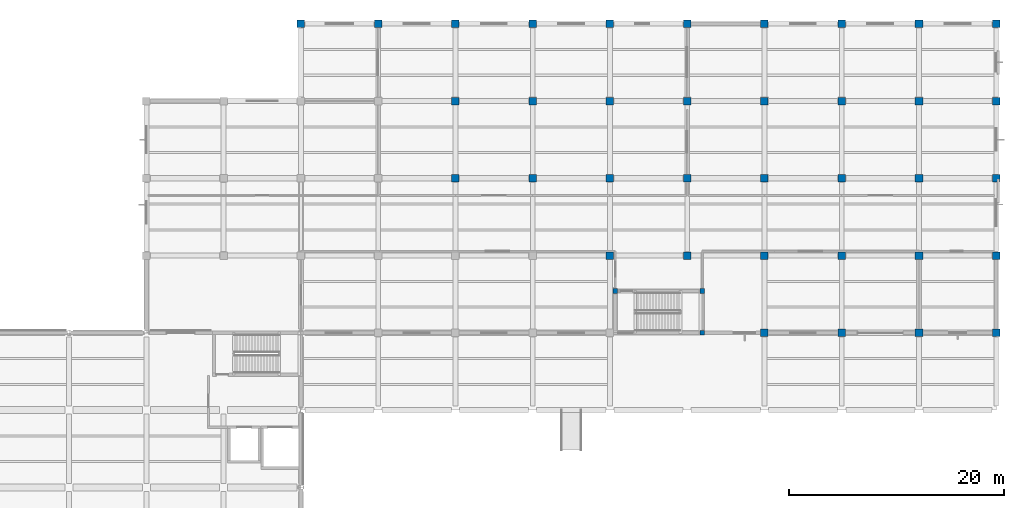
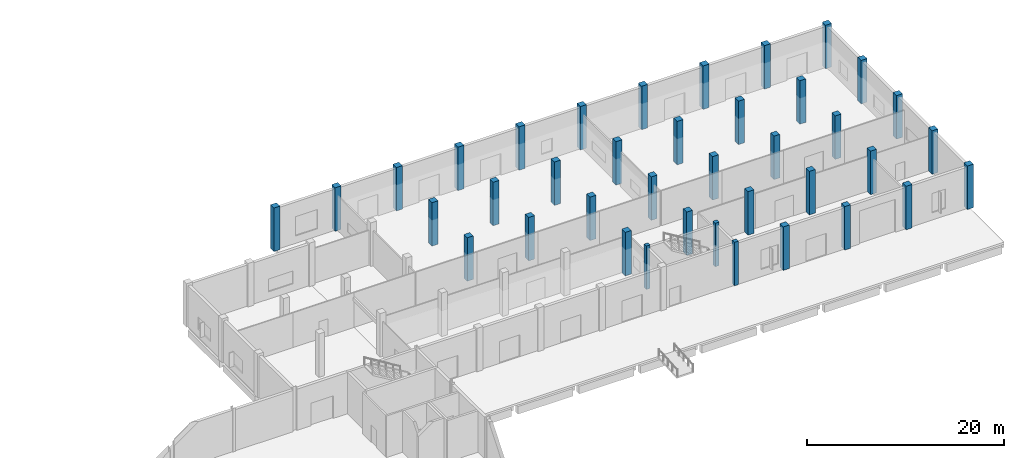
# One storey, part 12 of 46: 39 columns.
"""IFC4 building model written with IfcOpenShell, lengths in metres."""

from ifc_helpers import new_model, si_unit, direction, frame, origin, origin_2d, place, context, subcontext, project, spatial, rectangle, extrude, material, material_profile, profile_set, type_object, element, save


model = new_model("IFC4")

# Units and contexts
model_context = context("Model", 3, precision=1e-05, world=origin(), true_north=direction((0.0, 1.0)))
body_context = subcontext(model_context, "Body", "Model", "MODEL_VIEW")
ifc_project = project(units=[si_unit("LENGTHUNIT", "METRE"), si_unit("AREAUNIT", "SQUARE_METRE"), si_unit("VOLUMEUNIT", "CUBIC_METRE"), si_unit("PLANEANGLEUNIT", "RADIAN"), si_unit("MASSUNIT", "GRAM", prefix="KILO"), si_unit("THERMODYNAMICTEMPERATUREUNIT", "KELVIN"), si_unit("POWERUNIT", "WATT")], contexts=[model_context])

# Site, building, storey
site_placement = place(None, origin())
site = spatial("IfcSite", under=ifc_project, at=site_placement, CompositionType="ELEMENT")
building_placement = place(site_placement, origin())
building = spatial("IfcBuilding", under=site, at=building_placement, Name="Kaldorven Railside Theatre", CompositionType="ELEMENT")
storey_placement = place(building_placement, origin())
storey = spatial("IfcBuildingStorey", under=building, at=storey_placement, Name="L00", CompositionType="ELEMENT", Elevation=0.0)

# Columns
ifc_material = material(Name="Concrete C40/50", Category="concrete")
ifc_material_profile_1 = material_profile(ifc_material, rectangle(XDim=0.449951171875, YDim=0.449951171875, at=origin_2d()), Name="RC 450x450")
ifc_profile_set_1 = profile_set([ifc_material_profile_1], Name="Concrete C40/50")
column_type_1 = type_object("IfcColumnType", Name="COL-RC450", PredefinedType="COLUMN", material=ifc_profile_set_1)
for number, where, z_axis, x_axis, name in (
    (1, (160.60009765625, 112.800048828125, 0.0), (0.0, 0.0, 1.0), (1.0, 0.0, 0.0), "Core ST-08 L00 Boundary Column CCR-040"),
    (2, (160.60009765625, 116.699951171875, 0.0), (0.0, 0.0, 1.0), (1.0, 0.0, 0.0), "Core ST-08 L00 Boundary Column CCR-045"),
    (3, (152.5, 116.699951171875, 0.0), (0.0, 0.0, 1.0), (1.0, 0.0, 0.0), "Core ST-08 L00 Boundary Column CCR-050"),
):
    element("IfcColumn", number, at=place(storey_placement, frame(where, z_axis=z_axis, x_axis=x_axis)), inside=storey, type_object=column_type_1, Name=name, PredefinedType="COLUMN", context=body_context, shape_type="SweptSolid", body=[
        extrude(rectangle(XDim=0.449951171875, YDim=0.449951171875, at=origin_2d()), origin(), (0.0, 0.0, 1.0), 5.39990234375),
    ])
ifc_material_profile_2 = material_profile(ifc_material, rectangle(XDim=0.699951171875, YDim=0.699951171875, at=origin_2d()), Name="RC 700x700")
ifc_profile_set_2 = profile_set([ifc_material_profile_2], Name="Concrete C40/50")
column_type_2 = type_object("IfcColumnType", Name="COL-RC700", PredefinedType="COLUMN", material=ifc_profile_set_2)
for number, where, z_axis, x_axis, name in (
    (4, (166.39990234375, 112.800048828125, 0.0), (0.0, 0.0, 1.0), (0.0, 1.0, 0.0), "L00 Column CG-L00-166-112"),
    (5, (173.60009765625, 112.800048828125, 0.0), (0.0, 0.0, 1.0), (1.0, 0.0, 0.0), "L00 Column CG-L00-173-112"),
    (6, (180.800048828125, 112.800048828125, 0.0), (0.0, 0.0, 1.0), (0.0, 1.0, 0.0), "L00 Column CG-L00-180-112"),
    (7, (188.0, 112.800048828125, 0.0), (0.0, 0.0, 1.0), (1.0, 0.0, 0.0), "L00 Column CG-L00-188-112"),
    (8, (152.0, 120.0, 0.0), (0.0, 0.0, 1.0), (1.0, 0.0, 0.0), "L00 Column CG-L00-152-120"),
    (9, (159.199951171875, 120.0, 0.0), (0.0, 0.0, 1.0), (0.0, 1.0, 0.0), "L00 Column CG-L00-159-120"),
    (10, (166.39990234375, 120.0, 0.0), (0.0, 0.0, 1.0), (1.0, 0.0, 0.0), "L00 Column CG-L00-166-120"),
    (11, (173.60009765625, 120.0, 0.0), (0.0, 0.0, 1.0), (0.0, 1.0, 0.0), "L00 Column CG-L00-173-120"),
    (12, (180.800048828125, 120.0, 0.0), (0.0, 0.0, 1.0), (1.0, 0.0, 0.0), "L00 Column CG-L00-180-120"),
    (13, (188.0, 120.0, 0.0), (0.0, 0.0, 1.0), (1.0, 0.0, 0.0), "L00 Column CG-L00-188-120"),
    (14, (137.60009765625, 127.199951171875, 0.0), (0.0, 0.0, 1.0), (1.0, 0.0, 0.0), "L00 Column CG-L00-137-127"),
    (15, (144.800048828125, 127.199951171875, 0.0), (0.0, 0.0, 1.0), (1.0, 0.0, 0.0), "L00 Column CG-L00-144-127"),
    (16, (152.0, 127.199951171875, 0.0), (0.0, 0.0, 1.0), (0.0, 1.0, 0.0), "L00 Column CG-L00-152-127"),
    (17, (159.199951171875, 127.199951171875, 0.0), (0.0, 0.0, 1.0), (1.0, 0.0, 0.0), "L00 Column CG-L00-159-127"),
    (18, (166.39990234375, 127.199951171875, 0.0), (0.0, 0.0, 1.0), (0.0, 1.0, 0.0), "L00 Column CG-L00-166-127"),
    (19, (173.60009765625, 127.199951171875, 0.0), (0.0, 0.0, 1.0), (1.0, 0.0, 0.0), "L00 Column CG-L00-173-127"),
    (20, (180.800048828125, 127.199951171875, 0.0), (0.0, 0.0, 1.0), (1.0, 0.0, 0.0), "L00 Column CG-L00-180-127"),
    (21, (188.0, 127.199951171875, 0.0), (0.0, 0.0, 1.0), (0.0, 1.0, 0.0), "L00 Column CG-L00-188-127"),
    (22, (137.60009765625, 134.39990234375, 0.0), (0.0, 0.0, 1.0), (1.0, 0.0, 0.0), "L00 Column CG-L00-137-134"),
    (23, (144.800048828125, 134.39990234375, 0.0), (0.0, 0.0, 1.0), (0.0, 1.0, 0.0), "L00 Column CG-L00-144-134"),
    (24, (152.0, 134.39990234375, 0.0), (0.0, 0.0, 1.0), (1.0, 0.0, 0.0), "L00 Column CG-L00-152-134"),
    (25, (159.199951171875, 134.39990234375, 0.0), (0.0, 0.0, 1.0), (0.0, 1.0, 0.0), "L00 Column CG-L00-159-134"),
    (26, (166.39990234375, 134.39990234375, 0.0), (0.0, 0.0, 1.0), (1.0, 0.0, 0.0), "L00 Column CG-L00-166-134"),
    (27, (173.60009765625, 134.39990234375, 0.0), (0.0, 0.0, 1.0), (1.0, 0.0, 0.0), "L00 Column CG-L00-173-134"),
    (28, (180.800048828125, 134.39990234375, 0.0), (0.0, 0.0, 1.0), (0.0, 1.0, 0.0), "L00 Column CG-L00-180-134"),
    (29, (188.0, 134.39990234375, 0.0), (0.0, 0.0, 1.0), (1.0, 0.0, 0.0), "L00 Column CG-L00-188-134"),
    (30, (123.199951171875, 141.60009765625, 0.0), (0.0, 0.0, 1.0), (1.0, 0.0, 0.0), "L00 Column CG-L00-123-141"),
    (31, (130.39990234375, 141.60009765625, 0.0), (0.0, 0.0, 1.0), (1.0, 0.0, 0.0), "L00 Column CG-L00-130-141"),
    (32, (137.60009765625, 141.60009765625, 0.0), (0.0, 0.0, 1.0), (0.0, 1.0, 0.0), "L00 Column CG-L00-137-141"),
    (33, (144.800048828125, 141.60009765625, 0.0), (0.0, 0.0, 1.0), (1.0, 0.0, 0.0), "L00 Column CG-L00-144-141"),
    (34, (152.0, 141.60009765625, 0.0), (0.0, 0.0, 1.0), (0.0, 1.0, 0.0), "L00 Column CG-L00-152-141"),
    (35, (159.199951171875, 141.60009765625, 0.0), (0.0, 0.0, 1.0), (1.0, 0.0, 0.0), "L00 Column CG-L00-159-141"),
    (36, (166.39990234375, 141.60009765625, 0.0), (0.0, 0.0, 1.0), (1.0, 0.0, 0.0), "L00 Column CG-L00-166-141"),
    (37, (173.60009765625, 141.60009765625, 0.0), (0.0, 0.0, 1.0), (0.0, 1.0, 0.0), "L00 Column CG-L00-173-141"),
    (38, (180.800048828125, 141.60009765625, 0.0), (0.0, 0.0, 1.0), (1.0, 0.0, 0.0), "L00 Column CG-L00-180-141"),
    (39, (188.0, 141.60009765625, 0.0), (0.0, 0.0, 1.0), (0.0, 1.0, 0.0), "L00 Column CG-L00-188-141"),
):
    element("IfcColumn", number, at=place(storey_placement, frame(where, z_axis=z_axis, x_axis=x_axis)), inside=storey, type_object=column_type_2, Name=name, PredefinedType="COLUMN", context=body_context, shape_type="SweptSolid", body=[
        extrude(rectangle(XDim=0.699951171875, YDim=0.699951171875, at=origin_2d()), origin(), (0.0, 0.0, 1.0), 5.39990234375),
    ])

save(model, "model.ifc")
